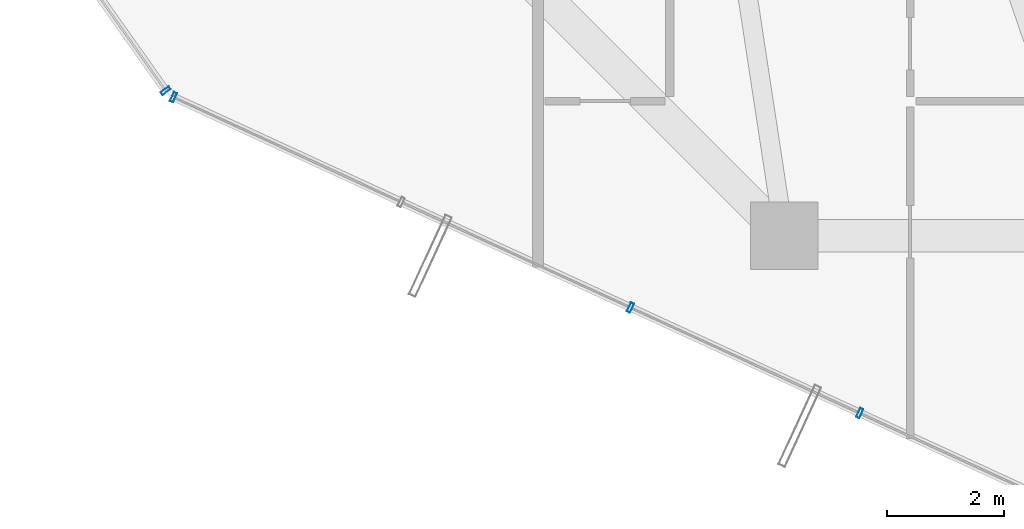
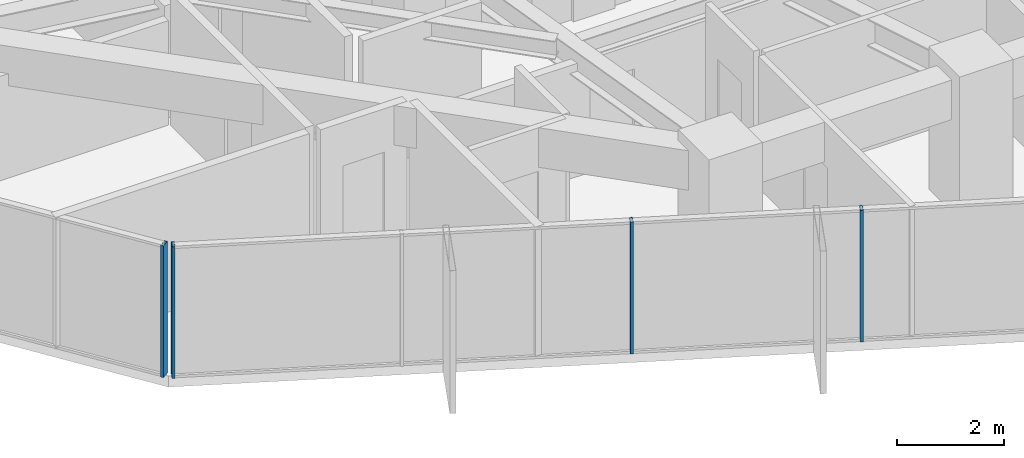
# One storey, part 2 of 33: 4 members, 2 elements without a shape of their own.
"""IFC4 building model written with IfcOpenShell, lengths in metres."""

from ifc_helpers import new_model, si_unit, direction, frame, origin, origin_2d, place, context, subcontext, project, spatial, hollow_rectangle, extrude, source, transform, mapped, material, layer, layer_set, material_profile, profile_set, type_object, element, aggregate, save


model = new_model("IFC4")

# Units and contexts
model_context = context("Model", 3, precision=1e-05, world=origin(), true_north=direction((0.0, 1.0)))
body_context = subcontext(model_context, "Body", "Model", "MODEL_VIEW")
ifc_project = project(units=[si_unit("LENGTHUNIT", "METRE"), si_unit("AREAUNIT", "SQUARE_METRE"), si_unit("VOLUMEUNIT", "CUBIC_METRE"), si_unit("PLANEANGLEUNIT", "RADIAN"), si_unit("MASSUNIT", "GRAM", prefix="KILO")], contexts=[model_context])

# Site, building, storey
site_placement = place(None, origin())
site = spatial("IfcSite", under=ifc_project, at=site_placement, CompositionType="ELEMENT")
building_placement = place(site_placement, origin())
building = spatial("IfcBuilding", under=site, at=building_placement, Name="Veraguas Prism Commons", CompositionType="ELEMENT")
storey_placement = place(building_placement, frame((0.0, 0.0, 145.75)))
storey = spatial("IfcBuildingStorey", under=building, at=storey_placement, Name="L41", CompositionType="ELEMENT", Elevation=145.75)

# Curtain wall, members
ifc_material = material(Name="Anodised aluminium EN AW-6063 T6", Category="aluminium")
ifc_layer = layer(ifc_material, 0.169921875, Name="Unitised Flush Curtain Wall Zone 2", Category="aluminium")
ifc_layer_set = layer_set([ifc_layer], Name="Anodised aluminium EN AW-6063 T6")
curtain_wall_type = type_object("IfcCurtainWallType", Name="Unitised Flush Curtain Wall Zone 2", PredefinedType="NOTDEFINED", material=ifc_layer_set)
curtain_wall_1_placement = place(storey_placement, origin())
curtain_wall_1 = element("IfcCurtainWall", 1, at=curtain_wall_1_placement, inside=storey, type_object=curtain_wall_type, Name="Tower Facade Curtain Wall L41-F4", PredefinedType="NOTDEFINED")
ifc_material_profile = material_profile(ifc_material, hollow_rectangle(XDim=0.06005859375, YDim=0.169921875, WallThickness=0.00390625, at=origin_2d()), Name="AL60X170X4")
ifc_profile_set = profile_set([ifc_material_profile], Name="Anodised aluminium EN AW-6063 T6")
member_type = type_object("IfcMemberType", Name="Curtain Wall Mullion Lower AL 60x170x4", PredefinedType="MULLION", material=ifc_profile_set)
shared_shape = source(origin(), body_context, "Body", "SweptSolid", [
    extrude(hollow_rectangle(XDim=0.06005859375, YDim=0.169921875, WallThickness=0.00390625, at=origin_2d()), origin(), (0.0, 0.0, 1.0), 3.0),
])
member_1_placement = place(storey_placement, frame((8.177978515625, 10.166259765625, 0.0), z_axis=(0.0, 0.0, 1.0), x_axis=(0.908362988922, -0.418182592124, 0.0)))
member_1 = element("IfcMember", 2, at=member_1_placement, type_object=member_type, Name="CW-Z2 Mullion 1", PredefinedType="MULLION", context=body_context, shape_type="MappedRepresentation", body=[
    mapped(shared_shape, transform((0.0, 0.0, 0.0), scale=1.0)),
])
member_2_placement = place(storey_placement, frame((15.978271484375, 6.575439453125, 0.0), z_axis=(0.0, 0.0, 1.0), x_axis=(0.908362988922, -0.418182592124, 0.0)))
member_2 = element("IfcMember", 3, at=member_2_placement, type_object=member_type, Name="CW-Z2 Mullion 3", PredefinedType="MULLION", context=body_context, shape_type="MappedRepresentation", body=[
    mapped(shared_shape, transform((0.0, 0.0, 0.0), scale=1.0)),
])
member_3_placement = place(storey_placement, frame((19.891845703125, 4.773681640625, 0.0), z_axis=(0.0, 0.0, 1.0), x_axis=(0.908362988922, -0.418182592124, 0.0)))
member_3 = element("IfcMember", 4, at=member_3_placement, type_object=member_type, Name="CW-Z2 Mullion 4", PredefinedType="MULLION", context=body_context, shape_type="MappedRepresentation", body=[
    mapped(shared_shape, transform((0.0, 0.0, 0.0), scale=1.0)),
])
aggregate(curtain_wall_1, [member_1, member_2, member_3])

# Curtain wall, member
curtain_wall_2_placement = place(storey_placement, origin())
curtain_wall_2 = element("IfcCurtainWall", 5, at=curtain_wall_2_placement, inside=storey, type_object=curtain_wall_type, Name="Chamfer Curtain Wall L41-C4", PredefinedType="NOTDEFINED")
member_4_placement = place(storey_placement, frame((8.044189453125, 10.277587890625, 0.0), z_axis=(0.0, 0.0, 1.0), x_axis=(0.577568429072, -0.81634227487, 0.0)))
member_4 = element("IfcMember", 6, at=member_4_placement, type_object=member_type, Name="CW-Z2 Mullion 2", PredefinedType="MULLION", context=body_context, shape_type="MappedRepresentation", body=[
    mapped(shared_shape, transform((0.0, 0.0, 0.0), scale=1.0)),
])
aggregate(curtain_wall_2, [member_4])

save(model, "model.ifc")
